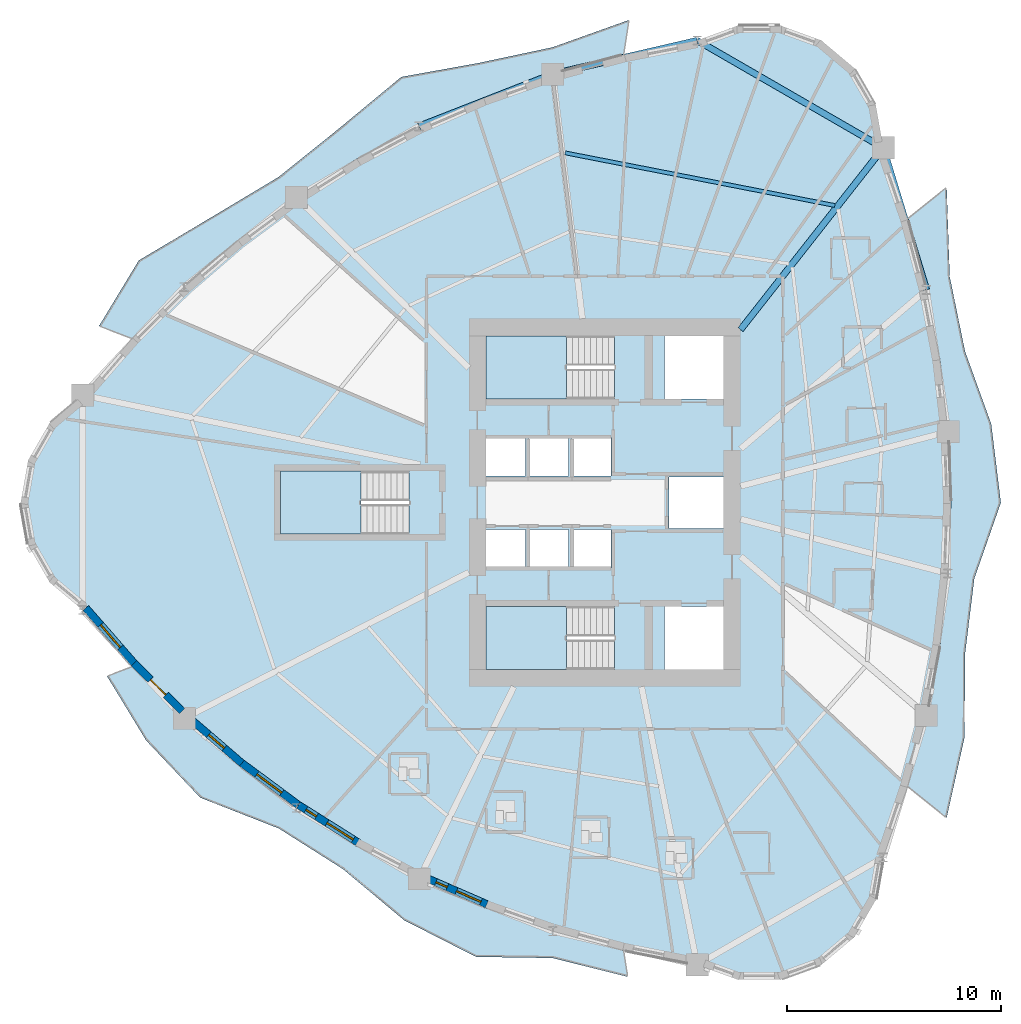
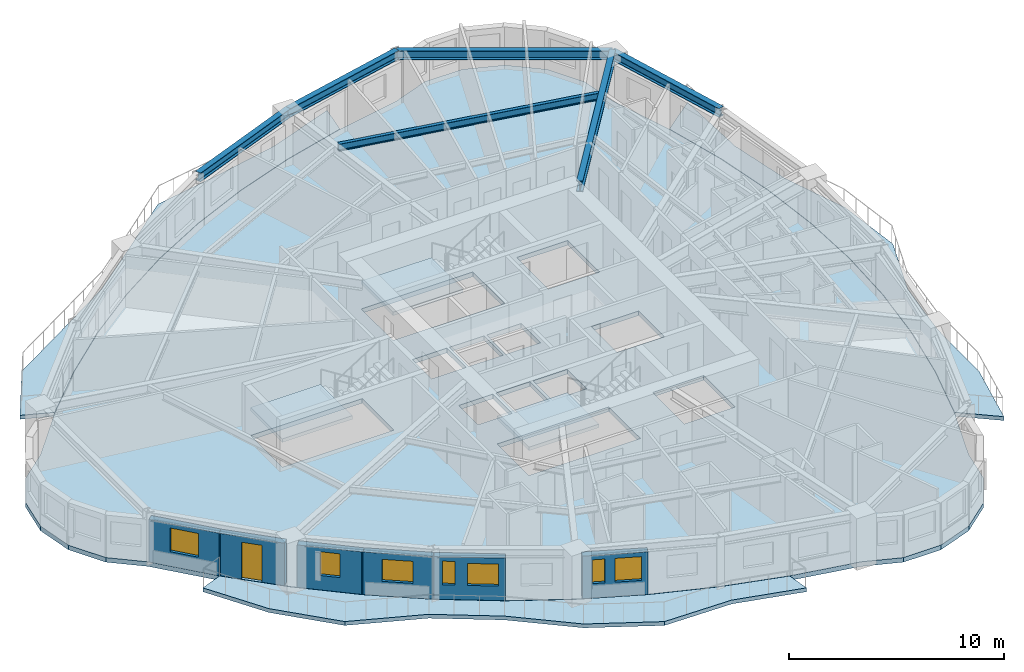
# One storey, part 2 of 14: 7 slabs, 7 windows, 6 beams, 6 walls, 1 door, 8 openings, 3 elements without a shape of their own.
"""IFC4 building model written with IfcOpenShell, lengths in metres."""

from ifc_helpers import new_model, si_unit, direction, frame, frame_2d, origin, origin_2d, place, context, subcontext, project, spatial, polyline, rectangle, i_section, outline, extrude, source, transform, mapped, material, layer, layer_set, material_profile, profile_set, type_object, element, fill, aggregate, save


model = new_model("IFC4")

# Units and contexts
model_context = context("Model", 3, precision=1e-05, world=origin(), true_north=direction((0.0, 1.0)))
body_context = subcontext(model_context, "Body", "Model", "MODEL_VIEW")
ifc_project = project(units=[si_unit("LENGTHUNIT", "METRE"), si_unit("AREAUNIT", "SQUARE_METRE"), si_unit("VOLUMEUNIT", "CUBIC_METRE"), si_unit("PLANEANGLEUNIT", "RADIAN"), si_unit("MASSUNIT", "GRAM", prefix="KILO")], contexts=[model_context])

# Site, building, storey
site_placement = place(None, origin())
site = spatial("IfcSite", under=ifc_project, at=site_placement, CompositionType="ELEMENT")
building_placement = place(site_placement, origin())
building = spatial("IfcBuilding", under=site, at=building_placement, Name="Qafzar Sky-Pleat Residences", CompositionType="ELEMENT")
storey_placement = place(building_placement, frame((0.0, 0.0, 23.800048828125)))
storey = spatial("IfcBuildingStorey", under=building, at=storey_placement, Name="L06", CompositionType="ELEMENT", Elevation=23.800048828125)

# Beams
ifc_material_1 = material(Name="Steel S355", Category="steel")
ifc_material_profile_1 = material_profile(ifc_material_1, i_section(OverallWidth=0.300048828125, OverallDepth=0.5, WebThickness=0.014404296875, FlangeThickness=0.028076171875, FilletRadius=0.027099609375, at=origin_2d()), Name="HEB 500")
ifc_profile_set_1 = profile_set([ifc_material_profile_1], Name="Steel S355")
beam_type_1 = type_object("IfcBeamType", Name="BM-SPAN-HEB500", PredefinedType="SPANDREL", material=ifc_profile_set_1)
shared_shape_1 = source(origin(), body_context, "Body", "SweptSolid", [
    extrude(i_section(OverallWidth=0.300048828125, OverallDepth=0.5, WebThickness=0.014404296875, FlangeThickness=0.028076171875, FilletRadius=0.027099609375, at=origin_2d()), origin(), (0.0, 0.0, 1.0), 10.0458984375),
])
beam_1_placement = place(storey_placement, frame((43.37255859375, 42.580078125, 2.682861328125), z_axis=(-0.866024107753, 0.500002244785, 0.0), x_axis=(-0.500002244785, -0.866024107753, 0.0)))
element("IfcBeam", 1, at=beam_1_placement, inside=storey, type_object=beam_type_1, Name="L06 Perimeter Spandrel Beam 13", PredefinedType="SPANDREL", context=body_context, shape_type="MappedRepresentation", body=[
    mapped(shared_shape_1, transform((0.0, 0.0, 0.0), x_axis=(1.0, 0.0, 0.0), y_axis=(0.0, 1.0, 0.0), z_axis=(0.0, 0.0, 1.0), scale=1.0)),
])
shared_shape_2 = source(origin(), body_context, "Body", "SweptSolid", [
    extrude(i_section(OverallWidth=0.300048828125, OverallDepth=0.5, WebThickness=0.014404296875, FlangeThickness=0.028076171875, FilletRadius=0.027099609375, at=origin_2d()), origin(), (0.0, 0.0, 1.0), 6.931640625),
])
beam_2_placement = place(storey_placement, frame((45.388671875, 35.947998046875, 2.682861328125), z_axis=(-0.290851866261, 0.956768097238, 0.0), x_axis=(-0.956768097238, -0.290851866261, 0.0)))
element("IfcBeam", 2, at=beam_2_placement, inside=storey, type_object=beam_type_1, Name="L06 Perimeter Spandrel Beam 12", PredefinedType="SPANDREL", context=body_context, shape_type="MappedRepresentation", body=[
    mapped(shared_shape_2, transform((0.0, 0.0, 0.0), x_axis=(1.0, 0.0, 0.0), y_axis=(0.0, 1.0, 0.0), z_axis=(0.0, 0.0, 1.0), scale=1.0)),
])
shared_shape_3 = source(origin(), body_context, "Body", "SweptSolid", [
    extrude(i_section(OverallWidth=0.300048828125, OverallDepth=0.5, WebThickness=0.014404296875, FlangeThickness=0.028076171875, FilletRadius=0.027099609375, at=origin_2d()), origin(), (0.0, 0.0, 1.0), 6.708251953125),
])
beam_3_placement = place(storey_placement, frame((27.9208984375, 46.032958984375, 2.682861328125), z_axis=(-0.931335108282, -0.364163309631, 0.0), x_axis=(0.364163309631, -0.931335108282, 0.0)))
element("IfcBeam", 3, at=beam_3_placement, inside=storey, type_object=beam_type_1, Name="L06 Perimeter Spandrel Beam 15", PredefinedType="SPANDREL", context=body_context, shape_type="MappedRepresentation", body=[
    mapped(shared_shape_3, transform((0.0, 0.0, 0.0), x_axis=(1.0, 0.0, 0.0), y_axis=(0.0, 1.0, 0.0), z_axis=(0.0, 0.0, 1.0), scale=1.0)),
])
shared_shape_4 = source(origin(), body_context, "Body", "SweptSolid", [
    extrude(i_section(OverallWidth=0.300048828125, OverallDepth=0.5, WebThickness=0.014404296875, FlangeThickness=0.028076171875, FilletRadius=0.027099609375, at=origin_2d()), origin(), (0.0, 0.0, 1.0), 6.931884765625),
])
beam_4_placement = place(storey_placement, frame((34.672607421875, 47.60302734375, 2.682861328125), z_axis=(-0.974011098993, -0.226500284853, 0.0), x_axis=(0.226500284853, -0.974011098993, 0.0)))
element("IfcBeam", 4, at=beam_4_placement, inside=storey, type_object=beam_type_1, Name="L06 Perimeter Spandrel Beam 14", PredefinedType="SPANDREL", context=body_context, shape_type="MappedRepresentation", body=[
    mapped(shared_shape_4, transform((0.0, 0.0, 0.0), x_axis=(1.0, 0.0, 0.0), y_axis=(0.0, 1.0, 0.0), z_axis=(0.0, 0.0, 1.0), scale=1.0)),
])
ifc_material_profile_2 = material_profile(ifc_material_1, i_section(OverallWidth=0.300048828125, OverallDepth=0.60009765625, WebThickness=0.015380859375, FlangeThickness=0.030029296875, FilletRadius=0.027099609375, at=origin_2d()), Name="HEB 600")
ifc_profile_set_2 = profile_set([ifc_material_profile_2], Name="Steel S355")
beam_type_2 = type_object("IfcBeamType", Name="BM-GIRD-HEB600", PredefinedType="BEAM", material=ifc_profile_set_2)
shared_shape_5 = source(origin(), body_context, "Body", "SweptSolid", [
    extrude(i_section(OverallWidth=0.300048828125, OverallDepth=0.60009765625, WebThickness=0.015380859375, FlangeThickness=0.030029296875, FilletRadius=0.027099609375, at=origin_2d()), origin(), (0.0, 0.0, 1.0), 10.802490234375),
])
beam_5_placement = place(storey_placement, frame((43.37255859375, 42.580078125, 2.633056640625), z_axis=(-0.617688793102, -0.786422631208, 0.0), x_axis=(0.786422631208, -0.617688793102, 0.0)))
element("IfcBeam", 5, at=beam_5_placement, inside=storey, type_object=beam_type_2, Name="L06 Radial Floor Girder 13", PredefinedType="BEAM", context=body_context, shape_type="MappedRepresentation", body=[
    mapped(shared_shape_5, transform((0.0, 0.0, 0.0), x_axis=(1.0, 0.0, 0.0), y_axis=(0.0, 1.0, 0.0), z_axis=(0.0, 0.0, 1.0), scale=1.0)),
])
ifc_material_profile_3 = material_profile(ifc_material_1, i_section(OverallWidth=0.179931640625, OverallDepth=0.39990234375, WebThickness=0.008544921875, FlangeThickness=0.013427734375, FilletRadius=0.02099609375, at=origin_2d()), Name="IPE 400")
ifc_profile_set_3 = profile_set([ifc_material_profile_3], Name="Steel S355")
beam_type_3 = type_object("IfcBeamType", Name="BM-JST-IPE400", PredefinedType="JOIST", material=ifc_profile_set_3)
shared_shape_6 = source(origin(), body_context, "Body", "SweptSolid", [
    extrude(i_section(OverallWidth=0.179931640625, OverallDepth=0.39990234375, WebThickness=0.008544921875, FlangeThickness=0.013427734375, FilletRadius=0.02099609375, at=origin_2d()), origin(), (0.0, 0.0, 1.0), 12.845703125),
])
beam_6_placement = place(storey_placement, frame((41.104736328125, 39.887451171875, 2.73291015625), z_axis=(-0.98147377173, 0.191596543305, 0.0), x_axis=(-0.191596543305, -0.98147377173, 0.0)))
element("IfcBeam", 6, at=beam_6_placement, inside=storey, type_object=beam_type_3, Name="L06 Outer Secondary Floor Joist 7", PredefinedType="JOIST", context=body_context, shape_type="MappedRepresentation", body=[
    mapped(shared_shape_6, transform((0.0, 0.0, 0.0), x_axis=(1.0, 0.0, 0.0), y_axis=(0.0, 1.0, 0.0), z_axis=(0.0, 0.0, 1.0), scale=1.0)),
])

# Slabs
ifc_material_2 = material(Name="Concrete C40/50", Category="concrete")
ifc_layer_1 = layer(ifc_material_2, 0.219970703125)
ifc_layer_set_1 = layer_set([ifc_layer_1], Name="Concrete C40/50")
slab_type_1 = type_object("IfcSlabType", Name="SLAB-BAL-220", PredefinedType="USERDEFINED", material=ifc_layer_set_1)
slab_1_placement = place(storey_placement, frame((0.0, 0.0, -0.219970703125)))
element("IfcSlab", 7, at=slab_1_placement, inside=storey, type_object=slab_type_1, Name="L06 Pleated Stone Balcony 1", ObjectType="BALCONY", PredefinedType="USERDEFINED", context=body_context, shape_type="SweptSolid", body=[
    extrude(outline(polyline([(45.39892578125, 16.0458984375), (46.030029296875, 19.364013671875), (46.408447265625, 22.681884765625), (46.53466796875, 26.0), (46.408447265625, 29.318115234375), (46.030029296875, 32.635986328125), (45.39892578125, 35.9541015625), (44.51611328125, 39.271484375), (46.3330078125, 40.7314453125), (46.4736328125, 36.568603515625), (47.19189453125, 33.063720703125), (48.414306640625, 29.6796875), (48.865478515625, 26.0), (47.626953125, 22.46240234375), (47.19189453125, 18.936279296875), (47.16796875, 15.033935546875), (46.3330078125, 11.2685546875), (44.51611328125, 12.728515625), (45.39892578125, 16.0458984375)])), origin(), (0.0, 0.0, 1.0), 0.219970703125),
])
slab_2_placement = place(storey_placement, frame((0.0, 0.0, -0.219970703125)))
element("IfcSlab", 8, at=slab_2_placement, inside=storey, type_object=slab_type_1, Name="L06 Pleated Stone Balcony 2", ObjectType="BALCONY", PredefinedType="USERDEFINED", context=body_context, shape_type="SweptSolid", body=[
    extrude(outline(polyline([(27.9208984375, 46.044921875), (24.732177734375, 44.932373046875), (21.669189453125, 43.601318359375), (18.732666015625, 42.051513671875), (15.922119140625, 40.283203125), (13.238037109375, 38.29638671875), (10.679931640625, 36.091064453125), (8.24853515625, 33.66748046875), (6.721435546875, 34.26025390625), (8.573486328125, 37.318359375), (11.9794921875, 39.344482421875), (15.122802734375, 41.228515625), (17.91357421875, 43.469970703125), (20.84423828125, 45.8955078125), (24.45361328125, 46.546630859375), (27.916015625, 47.282958984375), (31.485595703125, 48.5576171875), (31.235595703125, 46.93896484375), (27.9208984375, 46.044921875)])), origin(), (0.0, 0.0, 1.0), 0.219970703125),
])
slab_3_placement = place(storey_placement, frame((0.0, 0.0, -0.219970703125)))
element("IfcSlab", 9, at=slab_3_placement, inside=storey, type_object=slab_type_1, Name="L06 Pleated Stone Balcony 3", ObjectType="BALCONY", PredefinedType="USERDEFINED", context=body_context, shape_type="SweptSolid", body=[
    extrude(outline(polyline([(10.679931640625, 15.908935546875), (13.238037109375, 13.70361328125), (15.922119140625, 11.716796875), (18.732666015625, 9.948486328125), (21.669189453125, 8.398681640625), (24.732177734375, 7.067626953125), (27.9208984375, 5.955078125), (31.235595703125, 5.06103515625), (31.424560546875, 3.837646484375), (27.916015625, 4.717041015625), (24.335693359375, 4.770751953125), (20.9794921875, 6.48095703125), (18.113525390625, 8.87646484375), (15.122802734375, 10.771484375), (11.447021484375, 12.2119140625), (8.919189453125, 14.883056640625), (7.094482421875, 17.884521484375), (8.24853515625, 18.33251953125), (10.679931640625, 15.908935546875)])), origin(), (0.0, 0.0, 1.0), 0.219970703125),
])
ifc_layer_2 = layer(ifc_material_2, 0.260009765625)
ifc_layer_set_2 = layer_set([ifc_layer_2], Name="Concrete C40/50")
slab_type_2 = type_object("IfcSlabType", Name="SLAB-FLR-260", PredefinedType="FLOOR", material=ifc_layer_set_2)
slab_4_placement = place(storey_placement, frame((0.0, 0.0, -0.260009765625)))
element("IfcSlab", 10, at=slab_4_placement, inside=storey, type_object=slab_type_2, Name="L06 Structural Floor Slab", PredefinedType="FLOOR", context=body_context, shape_type="SweptSolid", body=[
    extrude(outline(polyline([(5.955078125, 31.02294921875), (4.411865234375, 29.728271484375), (3.40478515625, 27.983642578125), (3.054931640625, 26.0), (3.40478515625, 24.016357421875), (4.411865234375, 22.271728515625), (5.955078125, 20.97705078125), (8.259765625, 18.3369140625), (10.6904296875, 15.9150390625), (13.247314453125, 13.71142578125), (15.929931640625, 11.72607421875), (18.738525390625, 9.958984375), (21.67333984375, 8.409912109375), (24.734130859375, 7.079345703125), (27.9208984375, 5.967041015625), (31.233642578125, 5.072998046875), (34.672607421875, 4.39697265625), (36.565185546875, 3.7080078125), (38.57958984375, 3.7080078125), (40.472412109375, 4.39697265625), (42.015625, 5.69189453125), (43.022705078125, 7.436279296875), (43.37255859375, 9.419921875), (44.506591796875, 12.736083984375), (45.388671875, 16.052001953125), (46.018798828125, 19.367919921875), (46.396728515625, 22.68408203125), (46.522705078125, 26.0), (46.396728515625, 29.31591796875), (46.018798828125, 32.632080078125), (45.388671875, 35.947998046875), (44.506591796875, 39.263916015625), (43.37255859375, 42.580078125), (43.022705078125, 44.563720703125), (42.015625, 46.30810546875), (40.472412109375, 47.60302734375), (38.57958984375, 48.2919921875), (36.565185546875, 48.2919921875), (34.672607421875, 47.60302734375), (31.233642578125, 46.927001953125), (27.9208984375, 46.032958984375), (24.734130859375, 44.920654296875), (21.67333984375, 43.590087890625), (18.738525390625, 42.041015625), (15.929931640625, 40.27392578125), (13.247314453125, 38.28857421875), (10.6904296875, 36.0849609375), (8.259765625, 33.6630859375), (5.955078125, 31.02294921875)]), holes=[polyline([(30.797119140625, 21.14990234375), (24.800048828125, 21.14990234375), (24.800048828125, 18.199951171875), (30.797119140625, 18.199951171875), (30.797119140625, 21.14990234375)]), polyline([(30.797119140625, 33.800048828125), (24.800048828125, 33.800048828125), (24.800048828125, 30.85009765625), (30.797119140625, 30.85009765625), (30.797119140625, 33.800048828125)]), polyline([(21.197021484375, 27.47509765625), (15.199951171875, 27.47509765625), (15.199951171875, 24.52490234375), (21.197021484375, 24.52490234375), (21.197021484375, 27.47509765625)]), polyline([(24.800048828125, 22.949951171875), (26.64990234375, 22.949951171875), (26.64990234375, 24.75), (24.800048828125, 24.75), (24.800048828125, 22.949951171875)]), polyline([(26.800048828125, 22.949951171875), (28.64990234375, 22.949951171875), (28.64990234375, 24.75), (26.800048828125, 24.75), (26.800048828125, 22.949951171875)]), polyline([(28.800048828125, 22.949951171875), (30.64990234375, 22.949951171875), (30.64990234375, 24.75), (28.800048828125, 24.75), (28.800048828125, 22.949951171875)]), polyline([(24.800048828125, 27.25), (26.64990234375, 27.25), (26.64990234375, 29.050048828125), (24.800048828125, 29.050048828125), (24.800048828125, 27.25)]), polyline([(26.800048828125, 27.25), (28.64990234375, 27.25), (28.64990234375, 29.050048828125), (26.800048828125, 29.050048828125), (26.800048828125, 27.25)]), polyline([(28.800048828125, 27.25), (30.64990234375, 27.25), (30.64990234375, 29.050048828125), (28.800048828125, 29.050048828125), (28.800048828125, 27.25)]), polyline([(33.14990234375, 18.199951171875), (35.89990234375, 18.199951171875), (35.89990234375, 21.14990234375), (33.14990234375, 21.14990234375), (33.14990234375, 18.199951171875)]), polyline([(33.14990234375, 30.85009765625), (35.89990234375, 30.85009765625), (35.89990234375, 33.800048828125), (33.14990234375, 33.800048828125), (33.14990234375, 30.85009765625)]), polyline([(33.35009765625, 24.800048828125), (35.89990234375, 24.800048828125), (35.89990234375, 27.199951171875), (33.35009765625, 27.199951171875), (33.35009765625, 24.800048828125)])]), origin(), (0.0, 0.0, 1.0), 0.260009765625),
])

# Stair, slab
stair_type = type_object("IfcStairType", Name="STAIR-H320", PredefinedType="HALF_TURN_STAIR", material=ifc_material_2)
stair_1_placement = place(storey_placement, origin())
stair_1 = element("IfcStair", 11, at=stair_1_placement, inside=storey, type_object=stair_type, Name="L06 Protected Exit Stair ST1", PredefinedType="HALF_TURN_STAIR")
ifc_layer_3 = layer(ifc_material_2, 0.199951171875)
ifc_layer_set_3 = layer_set([ifc_layer_3], Name="Concrete C40/50")
slab_type_3 = type_object("IfcSlabType", Name="SLAB-LANDING-200", PredefinedType="LANDING", material=ifc_layer_set_3)
slab_5_placement = place(storey_placement, frame((0.0, 0.0, 1.39990234375)))
slab_5 = element("IfcSlab", 12, at=slab_5_placement, type_object=slab_type_3, Name="ST1 landing 1", PredefinedType="LANDING", context=body_context, shape_type="SweptSolid", body=[
    extrude(outline(polyline([(28.56005859375, 21.14990234375), (24.800048828125, 21.14990234375), (24.800048828125, 18.199951171875), (28.56005859375, 18.199951171875), (28.56005859375, 21.14990234375)])), origin(), (0.0, 0.0, 1.0), 0.199951171875),
])
aggregate(stair_1, [slab_5])

stair_2_placement = place(storey_placement, origin())
stair_2 = element("IfcStair", 13, at=stair_2_placement, inside=storey, type_object=stair_type, Name="L06 Protected Exit Stair ST2", PredefinedType="HALF_TURN_STAIR")
slab_6_placement = place(storey_placement, frame((0.0, 0.0, 1.39990234375)))
slab_6 = element("IfcSlab", 14, at=slab_6_placement, type_object=slab_type_3, Name="ST2 landing 1", PredefinedType="LANDING", context=body_context, shape_type="SweptSolid", body=[
    extrude(outline(polyline([(28.56005859375, 33.800048828125), (24.800048828125, 33.800048828125), (24.800048828125, 30.85009765625), (28.56005859375, 30.85009765625), (28.56005859375, 33.800048828125)])), origin(), (0.0, 0.0, 1.0), 0.199951171875),
])
aggregate(stair_2, [slab_6])

stair_3_placement = place(storey_placement, origin())
stair_3 = element("IfcStair", 15, at=stair_3_placement, inside=storey, type_object=stair_type, Name="L06 Protected Exit Stair ST3", PredefinedType="HALF_TURN_STAIR")
slab_7_placement = place(storey_placement, frame((0.0, 0.0, 1.39990234375)))
slab_7 = element("IfcSlab", 16, at=slab_7_placement, type_object=slab_type_3, Name="ST3 landing 1", PredefinedType="LANDING", context=body_context, shape_type="SweptSolid", body=[
    extrude(outline(polyline([(18.9599609375, 27.47509765625), (15.199951171875, 27.47509765625), (15.199951171875, 24.52490234375), (18.9599609375, 24.52490234375), (18.9599609375, 27.47509765625)])), origin(), (0.0, 0.0, 1.0), 0.199951171875),
])
aggregate(stair_3, [slab_7])

# Wall, opening, window
ifc_material_3 = material(Name="Precast concrete C40/50 with honed Riyadh limestone", Category="concrete")
ifc_layer_4 = layer(ifc_material_3, 0.35009765625)
ifc_layer_set_4 = layer_set([ifc_layer_4], Name="Precast concrete C40/50 with honed Riyadh limestone")
wall_type = type_object("IfcWallType", Name="WALL-EXT-350", PredefinedType="SOLIDWALL", material=ifc_layer_set_4)
wall_1_placement = place(storey_placement, frame((6.10009765625, 21.0771484375, 0.0), z_axis=(0.0, 0.0, 1.0), x_axis=(0.657591470028, -0.753374713238, 0.0)))
wall_1 = element("IfcWall", 17, at=wall_1_placement, inside=storey, type_object=wall_type, Name="L06 Limestone Facade Wall 7", PredefinedType="SOLIDWALL", context=body_context, shape_type="SweptSolid", body=[
    extrude(rectangle(XDim=3.5224609375, YDim=0.35009765625, at=frame_2d((1.76123046875, 0.0))), origin(), (0.0, 0.0, 1.0), 2.4150390625),
])
opening_1_placement = place(wall_1_placement, frame((1.05126953125, 0.0, 0.820068359375)))
opening_1 = element("IfcOpeningElement", 18, at=opening_1_placement, cuts=wall_1, Name="Opening WN-10", PredefinedType="OPENING", context=body_context, shape_type="SweptSolid", body=[
    extrude(rectangle(XDim=1.39990234375, YDim=1.35009765625, at=frame_2d((0.699951171875, 0.675048828125))), frame((0.0, 0.18505859375, 0.0), z_axis=(0.0, -1.0, 0.0), x_axis=(1.0, 0.0, 0.0)), (0.0, 0.0, 1.0), 0.3701171875),
])
ifc_material_4 = material(Name="Solar-control low-E glass in bronze aluminium frame", Category="glass")
window_type_1 = type_object("IfcWindowType", Name="WIN-10", PartitioningType="SINGLE_PANEL", PredefinedType="WINDOW", material=ifc_material_4)
shared_shape_7 = source(origin(), body_context, "Body", "SweptSolid", [
    extrude(rectangle(XDim=1.39990234375, YDim=1.35009765625, at=frame_2d((0.699951171875, 0.675048828125))), frame((0.0, 0.030029296875, 0.0), z_axis=(0.0, -1.0, 0.0), x_axis=(1.0, 0.0, 0.0)), (0.0, 0.0, 1.0), 0.06005859375),
])
window_1_placement = place(opening_1_placement, origin())
window_1 = element("IfcWindow", 19, at=window_1_placement, inside=storey, type_object=window_type_1, Name="L06 Punched Facade Window 07", OverallHeight=1.35009765625, OverallWidth=1.39990234375, PartitioningType="SINGLE_PANEL", PredefinedType="WINDOW", context=body_context, shape_type="MappedRepresentation", body=[
    mapped(shared_shape_7, transform((0.0, 0.0, 0.0), x_axis=(1.0, 0.0, 0.0), y_axis=(0.0, 1.0, 0.0), z_axis=(0.0, 0.0, 1.0), scale=1.0)),
])
fill(opening_1, window_1)

# Wall, opening, door
wall_2_placement = place(storey_placement, frame((8.356201171875, 18.48779296875, 0.0), z_axis=(0.0, 0.0, 1.0), x_axis=(0.708376649612, -0.705834628142, 0.0)))
wall_2 = element("IfcWall", 20, at=wall_2_placement, inside=storey, type_object=wall_type, Name="L06 Limestone Facade Wall 8", PredefinedType="SOLIDWALL", context=body_context, shape_type="SweptSolid", body=[
    extrude(rectangle(XDim=3.16943359375, YDim=0.35009765625, at=frame_2d((1.584716796875, 0.0))), origin(), (0.0, 0.0, 1.0), 2.4150390625),
])
opening_2_placement = place(wall_2_placement, frame((1.084716796875, 0.0, 0.0)))
opening_2 = element("IfcOpeningElement", 21, at=opening_2_placement, cuts=wall_2, Name="Opening ED-05", PredefinedType="OPENING", context=body_context, shape_type="SweptSolid", body=[
    extrude(rectangle(XDim=1.0, YDim=2.10009765625, at=frame_2d((0.5, 1.050048828125))), frame((0.0, 0.18505859375, 0.0), z_axis=(0.0, -1.0, 0.0), x_axis=(1.0, 0.0, 0.0)), (0.0, 0.0, 1.0), 0.3701171875),
])
ifc_material_5 = material(Name="Glazed bronze aluminium door", Category="aluminium")
door_type = type_object("IfcDoorType", Name="DR-BAL-1000", OperationType="NOTDEFINED", PredefinedType="DOOR", material=ifc_material_5)
shared_shape_8 = source(origin(), body_context, "Body", "SweptSolid", [
    extrude(rectangle(XDim=1.0, YDim=2.10009765625, at=frame_2d((0.5, 1.050048828125))), frame((0.0, 0.02490234375, 0.0), z_axis=(0.0, -1.0, 0.0), x_axis=(1.0, 0.0, 0.0)), (0.0, 0.0, 1.0), 0.050048828125),
])
door_placement = place(opening_2_placement, origin())
door = element("IfcDoor", 22, at=door_placement, inside=storey, type_object=door_type, Name="L06 Glazed Balcony Door 3", OperationType="SINGLE_SWING_LEFT", OverallHeight=2.10009765625, OverallWidth=1.0, PredefinedType="DOOR", context=body_context, shape_type="MappedRepresentation", body=[
    mapped(shared_shape_8, transform((0.0, 0.0, 0.0), x_axis=(1.0, 0.0, 0.0), y_axis=(0.0, 1.0, 0.0), z_axis=(0.0, 0.0, 1.0), scale=1.0)),
])
fill(opening_2, door)

# Wall, opening, window
wall_3_placement = place(storey_placement, frame((11.031982421875, 15.851806640625, 0.0), z_axis=(0.0, 0.0, 1.0), x_axis=(0.757438043692, -0.652907045427, 0.0)))
wall_3 = element("IfcWall", 23, at=wall_3_placement, inside=storey, type_object=wall_type, Name="L06 Limestone Facade Wall 9", PredefinedType="SOLIDWALL", context=body_context, shape_type="SweptSolid", body=[
    extrude(rectangle(XDim=3.11328125, YDim=0.35009765625, at=frame_2d((1.556640625, 0.0))), origin(), (0.0, 0.0, 1.0), 2.4150390625),
])
opening_3_placement = place(wall_3_placement, frame((1.07666015625, 0.0, 0.820068359375)))
opening_3 = element("IfcOpeningElement", 24, at=opening_3_placement, cuts=wall_3, Name="Opening WN-12", PredefinedType="OPENING", context=body_context, shape_type="SweptSolid", body=[
    extrude(rectangle(XDim=0.949951171875, YDim=1.35009765625, at=frame_2d((0.47509765625, 0.675048828125))), frame((0.0, 0.18505859375, 0.0), z_axis=(0.0, -1.0, 0.0), x_axis=(1.0, 0.0, 0.0)), (0.0, 0.0, 1.0), 0.3701171875),
])
window_type_2 = type_object("IfcWindowType", Name="WIN-12", PartitioningType="SINGLE_PANEL", PredefinedType="WINDOW", material=ifc_material_4)
shared_shape_9 = source(origin(), body_context, "Body", "SweptSolid", [
    extrude(rectangle(XDim=0.949951171875, YDim=1.35009765625, at=frame_2d((0.47509765625, 0.675048828125))), frame((0.0, 0.030029296875, 0.0), z_axis=(0.0, -1.0, 0.0), x_axis=(1.0, 0.0, 0.0)), (0.0, 0.0, 1.0), 0.06005859375),
])
window_2_placement = place(opening_3_placement, origin())
window_2 = element("IfcWindow", 25, at=window_2_placement, inside=storey, type_object=window_type_2, Name="L06 Punched Facade Window 09", OverallHeight=1.35009765625, OverallWidth=0.949951171875, PartitioningType="SINGLE_PANEL", PredefinedType="WINDOW", context=body_context, shape_type="MappedRepresentation", body=[
    mapped(shared_shape_9, transform((0.0, 0.0, 0.0), x_axis=(1.0, 0.0, 0.0), y_axis=(0.0, 1.0, 0.0), z_axis=(0.0, 0.0, 1.0), scale=1.0)),
])
fill(opening_3, window_2)

wall_4_placement = place(storey_placement, frame((13.32080078125, 13.874755859375, 0.0), z_axis=(0.0, 0.0, 1.0), x_axis=(0.803799451214, -0.594900363278, 0.0)))
wall_4 = element("IfcWall", 26, at=wall_4_placement, inside=storey, type_object=wall_type, Name="L06 Limestone Facade Wall 10", PredefinedType="SOLIDWALL", context=body_context, shape_type="SweptSolid", body=[
    extrude(rectangle(XDim=3.355224609375, YDim=0.35009765625, at=frame_2d((1.677734375, 0.0))), origin(), (0.0, 0.0, 1.0), 2.4150390625),
])
opening_4_placement = place(wall_4_placement, frame((0.962646484375, 0.0, 0.820068359375)))
opening_4 = element("IfcOpeningElement", 27, at=opening_4_placement, cuts=wall_4, Name="Opening WN-15", PredefinedType="OPENING", context=body_context, shape_type="SweptSolid", body=[
    extrude(rectangle(XDim=1.449951171875, YDim=1.25, at=frame_2d((0.72509765625, 0.625))), frame((0.0, 0.18505859375, 0.0), z_axis=(0.0, -1.0, 0.0), x_axis=(1.0, 0.0, 0.0)), (0.0, 0.0, 1.0), 0.3701171875),
])
window_type_3 = type_object("IfcWindowType", Name="WIN-15", PartitioningType="SINGLE_PANEL", PredefinedType="WINDOW", material=ifc_material_4)
shared_shape_10 = source(origin(), body_context, "Body", "SweptSolid", [
    extrude(rectangle(XDim=1.449951171875, YDim=1.25, at=frame_2d((0.72509765625, 0.625))), frame((0.0, 0.030029296875, 0.0), z_axis=(0.0, -1.0, 0.0), x_axis=(1.0, 0.0, 0.0)), (0.0, 0.0, 1.0), 0.06005859375),
])
window_3_placement = place(opening_4_placement, origin())
window_3 = element("IfcWindow", 28, at=window_3_placement, inside=storey, type_object=window_type_3, Name="L06 Punched Facade Window 10", OverallHeight=1.25, OverallWidth=1.449951171875, PartitioningType="SINGLE_PANEL", PredefinedType="WINDOW", context=body_context, shape_type="MappedRepresentation", body=[
    mapped(shared_shape_10, transform((0.0, 0.0, 0.0), x_axis=(1.0, 0.0, 0.0), y_axis=(0.0, 1.0, 0.0), z_axis=(0.0, 0.0, 1.0), scale=1.0)),
])
fill(opening_4, window_3)

# Wall, openings, windows
wall_5_placement = place(storey_placement, frame((16.0400390625, 11.863525390625, 0.0), z_axis=(0.0, 0.0, 1.0), x_axis=(0.846428302834, -0.532502702492, 0.0)))
wall_5 = element("IfcWall", 29, at=wall_5_placement, inside=storey, type_object=wall_type, Name="L06 Limestone Facade Wall 11", PredefinedType="SOLIDWALL", context=body_context, shape_type="SweptSolid", body=[
    extrude(rectangle(XDim=3.33642578125, YDim=0.35009765625, at=frame_2d((1.668212890625, 0.0))), origin(), (0.0, 0.0, 1.0), 2.4150390625),
])
opening_5_placement = place(wall_5_placement, frame((0.409423828125, 0.0, 0.820068359375)))
opening_5 = element("IfcOpeningElement", 30, at=opening_5_placement, cuts=wall_5, Name="Opening WN-17", PredefinedType="OPENING", context=body_context, shape_type="SweptSolid", body=[
    extrude(rectangle(XDim=0.580078125, YDim=1.35009765625, at=frame_2d((0.2900390625, 0.675048828125))), frame((0.0, 0.18505859375, 0.0), z_axis=(0.0, -1.0, 0.0), x_axis=(1.0, 0.0, 0.0)), (0.0, 0.0, 1.0), 0.3701171875),
])
opening_6_placement = place(wall_5_placement, frame((1.572509765625, 0.0, 0.820068359375)))
opening_6 = element("IfcOpeningElement", 31, at=opening_6_placement, cuts=wall_5, Name="Opening WN-15", PredefinedType="OPENING", context=body_context, shape_type="SweptSolid", body=[
    extrude(rectangle(XDim=1.449951171875, YDim=1.25, at=frame_2d((0.72509765625, 0.625))), frame((0.0, 0.18505859375, 0.0), z_axis=(0.0, -1.0, 0.0), x_axis=(1.0, 0.0, 0.0)), (0.0, 0.0, 1.0), 0.3701171875),
])
window_4_placement = place(opening_6_placement, origin())
window_4 = element("IfcWindow", 32, at=window_4_placement, inside=storey, type_object=window_type_3, Name="L06 Punched Facade Window 11-2", OverallHeight=1.25, OverallWidth=1.449951171875, PartitioningType="SINGLE_PANEL", PredefinedType="WINDOW", context=body_context, shape_type="MappedRepresentation", body=[
    mapped(shared_shape_10, transform((0.0, 0.0, 0.0), x_axis=(1.0, 0.0, 0.0), y_axis=(0.0, 1.0, 0.0), z_axis=(0.0, 0.0, 1.0), scale=1.0)),
])
fill(opening_6, window_4)
window_type_4 = type_object("IfcWindowType", Name="WIN-17", PartitioningType="SINGLE_PANEL", PredefinedType="WINDOW", material=ifc_material_4)
shared_shape_11 = source(origin(), body_context, "Body", "SweptSolid", [
    extrude(rectangle(XDim=0.580078125, YDim=1.35009765625, at=frame_2d((0.2900390625, 0.675048828125))), frame((0.0, 0.030029296875, 0.0), z_axis=(0.0, -1.0, 0.0), x_axis=(1.0, 0.0, 0.0)), (0.0, 0.0, 1.0), 0.06005859375),
])
window_5_placement = place(opening_5_placement, origin())
window_5 = element("IfcWindow", 33, at=window_5_placement, inside=storey, type_object=window_type_4, Name="L06 Punched Facade Window 11", OverallHeight=1.35009765625, OverallWidth=0.580078125, PartitioningType="SINGLE_PANEL", PredefinedType="WINDOW", context=body_context, shape_type="MappedRepresentation", body=[
    mapped(shared_shape_11, transform((0.0, 0.0, 0.0), x_axis=(1.0, 0.0, 0.0), y_axis=(0.0, 1.0, 0.0), z_axis=(0.0, 0.0, 1.0), scale=1.0)),
])
fill(opening_5, window_5)

wall_6_placement = place(storey_placement, frame((22.018310546875, 8.450927734375, 0.0), z_axis=(0.0, 0.0, 1.0), x_axis=(0.917071318244, -0.398723208824, 0.0)))
wall_6 = element("IfcWall", 34, at=wall_6_placement, inside=storey, type_object=wall_type, Name="L06 Limestone Facade Wall 13", PredefinedType="SOLIDWALL", context=body_context, shape_type="SweptSolid", body=[
    extrude(rectangle(XDim=3.07568359375, YDim=0.35009765625, at=frame_2d((1.537841796875, 0.0))), origin(), (0.0, 0.0, 1.0), 2.4150390625),
])
opening_7_placement = place(wall_6_placement, frame((0.481201171875, 0.0, 0.820068359375)))
opening_7 = element("IfcOpeningElement", 35, at=opening_7_placement, cuts=wall_6, Name="Opening WN-17", PredefinedType="OPENING", context=body_context, shape_type="SweptSolid", body=[
    extrude(rectangle(XDim=0.580078125, YDim=1.35009765625, at=frame_2d((0.2900390625, 0.675048828125))), frame((0.0, 0.18505859375, 0.0), z_axis=(0.0, -1.0, 0.0), x_axis=(1.0, 0.0, 0.0)), (0.0, 0.0, 1.0), 0.3701171875),
])
opening_8_placement = place(wall_6_placement, frame((1.529296875, 0.0, 0.820068359375)))
opening_8 = element("IfcOpeningElement", 36, at=opening_8_placement, cuts=wall_6, Name="Opening WN-11", PredefinedType="OPENING", context=body_context, shape_type="SweptSolid", body=[
    extrude(rectangle(XDim=1.25, YDim=1.35009765625, at=frame_2d((0.625, 0.675048828125))), frame((0.0, 0.18505859375, 0.0), z_axis=(0.0, -1.0, 0.0), x_axis=(1.0, 0.0, 0.0)), (0.0, 0.0, 1.0), 0.3701171875),
])
window_6_placement = place(opening_7_placement, origin())
window_6 = element("IfcWindow", 37, at=window_6_placement, inside=storey, type_object=window_type_4, Name="L06 Punched Facade Window 13", OverallHeight=1.35009765625, OverallWidth=0.580078125, PartitioningType="SINGLE_PANEL", PredefinedType="WINDOW", context=body_context, shape_type="MappedRepresentation", body=[
    mapped(shared_shape_11, transform((0.0, 0.0, 0.0), x_axis=(1.0, 0.0, 0.0), y_axis=(0.0, 1.0, 0.0), z_axis=(0.0, 0.0, 1.0), scale=1.0)),
])
fill(opening_7, window_6)
window_type_5 = type_object("IfcWindowType", Name="WIN-11", PartitioningType="SINGLE_PANEL", PredefinedType="WINDOW", material=ifc_material_4)
shared_shape_12 = source(origin(), body_context, "Body", "SweptSolid", [
    extrude(rectangle(XDim=1.25, YDim=1.35009765625, at=frame_2d((0.625, 0.675048828125))), frame((0.0, 0.030029296875, 0.0), z_axis=(0.0, -1.0, 0.0), x_axis=(1.0, 0.0, 0.0)), (0.0, 0.0, 1.0), 0.06005859375),
])
window_7_placement = place(opening_8_placement, origin())
window_7 = element("IfcWindow", 38, at=window_7_placement, inside=storey, type_object=window_type_5, Name="L06 Punched Facade Window 13-2", OverallHeight=1.35009765625, OverallWidth=1.25, PartitioningType="SINGLE_PANEL", PredefinedType="WINDOW", context=body_context, shape_type="MappedRepresentation", body=[
    mapped(shared_shape_12, transform((0.0, 0.0, 0.0), x_axis=(1.0, 0.0, 0.0), y_axis=(0.0, 1.0, 0.0), z_axis=(0.0, 0.0, 1.0), scale=1.0)),
])
fill(opening_8, window_7)

save(model, "model.ifc")
